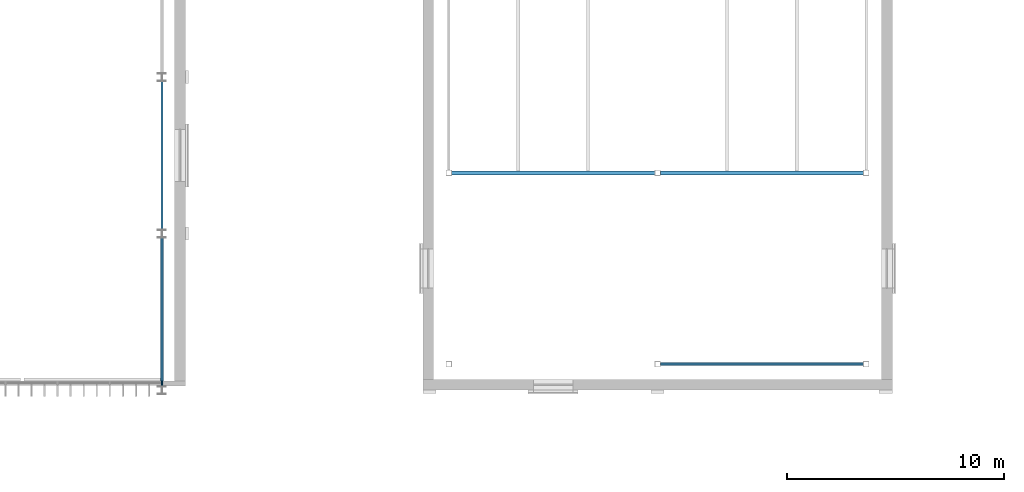
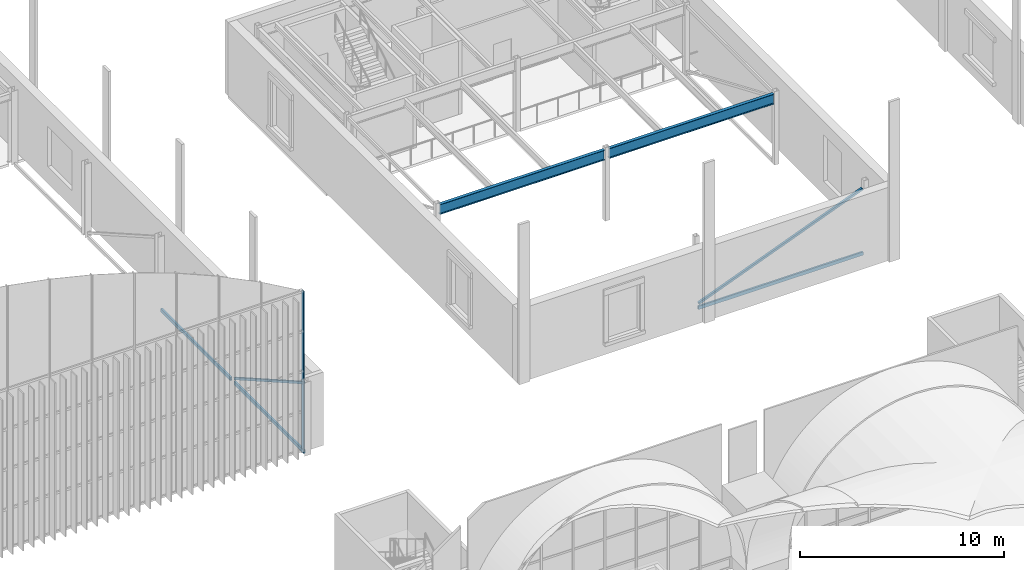
# One storey, part 47 of 169: 5 beams, 3 members, 1 element without a shape of its own.
"""IFC4 building model written with IfcOpenShell, lengths in metres."""

from ifc_helpers import new_model, si_unit, direction, frame, origin, origin_2d, place, context, subcontext, project, spatial, rectangle, hollow_rectangle, i_section, extrude, material, layer, layer_set, material_profile, profile_set, type_object, element, aggregate, save


model = new_model("IFC4")

# Units and contexts
model_context = context("Model", 3, precision=1e-05, world=origin(), true_north=direction((0.0, 1.0)))
body_context = subcontext(model_context, "Body", "Model", "MODEL_VIEW")
ifc_project = project(units=[si_unit("LENGTHUNIT", "METRE"), si_unit("AREAUNIT", "SQUARE_METRE"), si_unit("VOLUMEUNIT", "CUBIC_METRE"), si_unit("PLANEANGLEUNIT", "RADIAN"), si_unit("MASSUNIT", "GRAM", prefix="KILO")], contexts=[model_context])

# Site, building, storey
site_placement = place(None, origin())
site = spatial("IfcSite", under=ifc_project, at=site_placement, CompositionType="ELEMENT")
building_placement = place(site_placement, origin())
building = spatial("IfcBuilding", under=site, at=building_placement, Name="Verrick Yard Athletic Hall", CompositionType="ELEMENT")
storey_placement = place(building_placement, frame((0.0, 0.0, 4.39990234375)))
storey = spatial("IfcBuildingStorey", under=building, at=storey_placement, Name="L01", CompositionType="ELEMENT", Elevation=4.39990234375)

# Curtain wall, member
ifc_material_1 = material(Name="Anodised aluminium", Category="aluminium")
ifc_layer = layer(ifc_material_1, 0.199951171875)
ifc_layer_set = layer_set([ifc_layer], Name="Gable glazing")
curtain_wall_type = type_object("IfcCurtainWallType", Name="Gable glazing", PredefinedType="NOTDEFINED", material=ifc_layer_set)
curtain_wall_placement = place(storey_placement, origin())
curtain_wall = element("IfcCurtainWall", 1, at=curtain_wall_placement, inside=storey, type_object=curtain_wall_type, Name="Gable curtain wall BS", PredefinedType="NOTDEFINED")
ifc_material_profile_1 = material_profile(ifc_material_1, rectangle(XDim=0.199951171875, YDim=0.06005859375, at=origin_2d()), Name="CW gable mullion 60x200")
ifc_profile_set_1 = profile_set([ifc_material_profile_1], Name="Anodised aluminium")
member_type_1 = type_object("IfcMemberType", Name="Gable glazing mullion 60x200", PredefinedType="MULLION", material=ifc_profile_set_1)
member_1_placement = place(storey_placement, frame((76.0, 72.318359375, 0.0), z_axis=(0.0, 0.0, 1.0), x_axis=(0.0, 1.0, 0.0)))
member_1 = element("IfcMember", 2, at=member_1_placement, type_object=member_type_1, Name="ENVB-HBS-CW/M20", PredefinedType="MULLION", context=body_context, shape_type="SweptSolid", body=[
    extrude(rectangle(XDim=0.199951171875, YDim=0.06005859375, at=origin_2d()), origin(), (0.0, 0.0, 1.0), 9.60009765625),
])
aggregate(curtain_wall, [member_1])

# Beams
ifc_material_2 = material(Name="Structural steel HSS Class C 350W (CSA G40.20/G40.21)", Category="steel")
ifc_material_profile_2 = material_profile(ifc_material_2, hollow_rectangle(XDim=0.1015625, YDim=0.203125, WallThickness=0.009521484375, at=origin_2d()), Name="HSS203x102x9.5")
ifc_profile_set_2 = profile_set([ifc_material_profile_2], Name="Structural steel HSS Class C 350W (CSA G40.20/G40.21)")
beam_type_1 = type_object("IfcBeamType", Name="HB eaves girt HSS203x102x9.5", PredefinedType="BEAM", material=ifc_profile_set_2)
for number, where, z_axis, x_axis, name in (
    (3, (76.0, 72.177978515625, 0.0), (0.0, 1.0, 0.0), (-1.0, 0.0, 0.0), "HB-GT-BE-1-L01"),
    (4, (76.0, 79.3779296875, 0.0), (0.0, 1.0, 0.0), (-1.0, 0.0, 0.0), "HB-GT-BE-2-L01"),
):
    element("IfcBeam", number, at=place(storey_placement, frame(where, z_axis=z_axis, x_axis=x_axis)), inside=storey, type_object=beam_type_1, Name=name, PredefinedType="BEAM", context=body_context, shape_type="SweptSolid", body=[
        extrude(hollow_rectangle(XDim=0.1015625, YDim=0.203125, WallThickness=0.009521484375, at=origin_2d()), origin(), (0.0, 0.0, 1.0), 6.843994140625),
    ])
beam_1_placement = place(storey_placement, frame((98.927001953125, 73.199951171875, 0.0), z_axis=(1.0, 0.0, 0.0), x_axis=(0.0, 1.0, 0.0)))
element("IfcBeam", 5, at=beam_1_placement, inside=storey, type_object=beam_type_1, Name="HB-GT-CS-L01", PredefinedType="BEAM", context=body_context, shape_type="SweptSolid", body=[
    extrude(hollow_rectangle(XDim=0.1015625, YDim=0.203125, WallThickness=0.009521484375, at=origin_2d()), origin(), (0.0, 0.0, 1.0), 9.345947265625),
])
ifc_material_3 = material(Name="Structural steel 350W (CSA G40.21)", Category="steel")
ifc_material_profile_3 = material_profile(ifc_material_3, i_section(OverallWidth=0.178955078125, OverallDepth=0.60302734375, WebThickness=0.010986328125, FlangeThickness=0.014892578125, at=origin_2d()), Name="W610x92")
ifc_profile_set_3 = profile_set([ifc_material_profile_3], Name="Structural steel 350W (CSA G40.21)")
beam_type_2 = type_object("IfcBeamType", Name="HB girder W610x92", PredefinedType="BEAM", material=ifc_profile_set_3)
beam_2_placement = place(storey_placement, frame((89.326904296875, 82.0, 3.948486328125), z_axis=(1.0, 0.0, 0.0), x_axis=(0.0, 1.0, 0.0)))
element("IfcBeam", 6, at=beam_2_placement, inside=storey, type_object=beam_type_2, Name="HB-GB-C-L02-F1", PredefinedType="BEAM", context=body_context, shape_type="SweptSolid", body=[
    extrude(i_section(OverallWidth=0.178955078125, OverallDepth=0.60302734375, WebThickness=0.010986328125, FlangeThickness=0.014892578125, at=origin_2d()), origin(), (0.0, 0.0, 1.0), 9.34619140625),
])
beam_3_placement = place(storey_placement, frame((98.927001953125, 82.0, 3.948486328125), z_axis=(1.0, 0.0, 0.0), x_axis=(0.0, 1.0, 0.0)))
element("IfcBeam", 7, at=beam_3_placement, inside=storey, type_object=beam_type_2, Name="HB-GB-C-L02-F2", PredefinedType="BEAM", context=body_context, shape_type="SweptSolid", body=[
    extrude(i_section(OverallWidth=0.178955078125, OverallDepth=0.60302734375, WebThickness=0.010986328125, FlangeThickness=0.014892578125, at=origin_2d()), origin(), (0.0, 0.0, 1.0), 9.345947265625),
])

# Members
ifc_material_profile_4 = material_profile(ifc_material_2, hollow_rectangle(XDim=0.126953125, YDim=0.126953125, WallThickness=0.009521484375, at=origin_2d()), Name="HSS127x127x9.5")
ifc_profile_set_4 = profile_set([ifc_material_profile_4], Name="Structural steel HSS Class C 350W (CSA G40.20/G40.21)")
member_type_2 = type_object("IfcMemberType", Name="HB wall brace HSS127x127x9.5", PredefinedType="BRACE", material=ifc_profile_set_4)
member_2_placement = place(storey_placement, frame((76.0, 72.20947265625, 4.130615234375), z_axis=(0.0, 0.869002642273, -0.494807445096), x_axis=(-1.0, 0.0, 0.0)))
element("IfcMember", 8, at=member_2_placement, inside=storey, type_object=member_type_2, Name="HB-BRW-BE-1-L01", PredefinedType="BRACE", context=body_context, shape_type="SweptSolid", body=[
    extrude(hollow_rectangle(XDim=0.126953125, YDim=0.126953125, WallThickness=0.009521484375, at=origin_2d()), origin(), (0.0, 0.0, 1.0), 7.80322265625),
])
member_3_placement = place(storey_placement, frame((98.949951171875, 73.199951171875, 0.2607421875), z_axis=(0.931698181393, 0.0, 0.363233394374), x_axis=(0.0, 1.0, 0.0)))
element("IfcMember", 9, at=member_3_placement, inside=storey, type_object=member_type_2, Name="HB-BRW-CS-L01", PredefinedType="BRACE", context=body_context, shape_type="SweptSolid", body=[
    extrude(hollow_rectangle(XDim=0.126953125, YDim=0.126953125, WallThickness=0.009521484375, at=origin_2d()), origin(), (0.0, 0.0, 1.0), 9.98193359375),
])

save(model, "model.ifc")
